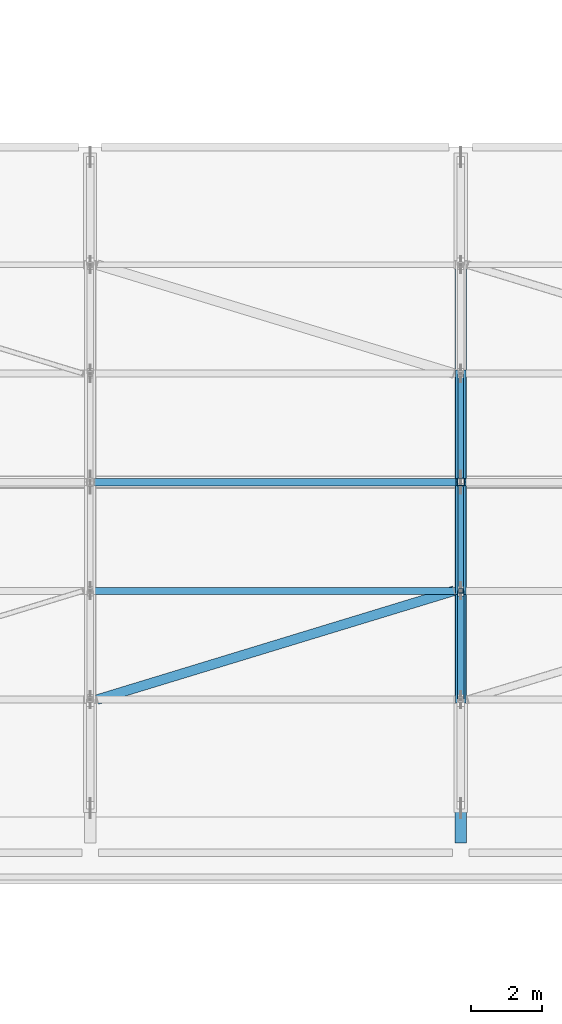
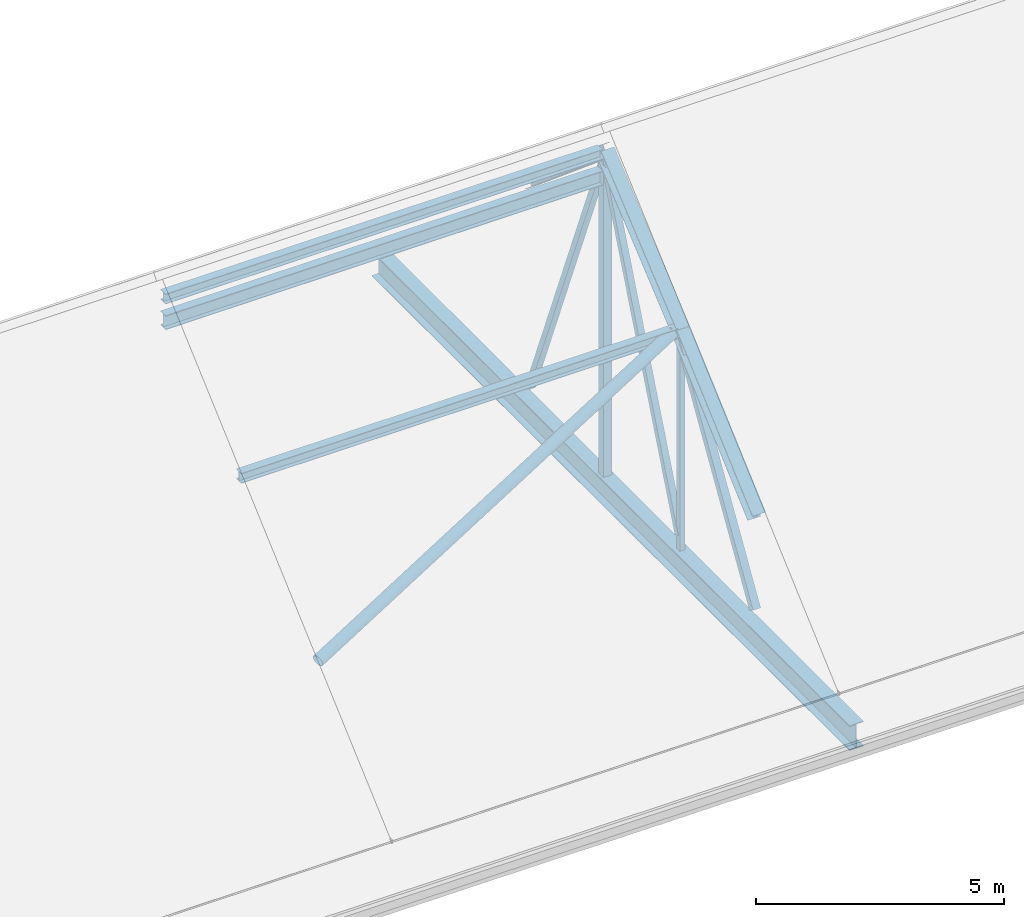
# One storey, part 20 of 86: 10 members, 3 beams.
"""IFC4 building model written with IfcOpenShell, lengths in metres."""

from ifc_helpers import new_model, si_unit, derived_unit, direction, frame, origin, origin_2d, place, context, subcontext, project, spatial, hollow_rectangle, hollow_circle, i_section, extrude, material, material_profile, profile_set, type_object, element, save


model = new_model("IFC4")

# Units and contexts
model_context = context("Model", 3, precision=1e-05, world=origin(), true_north=direction((0.0, 1.0)))
body_context = subcontext(model_context, "Body", "Model", "MODEL_VIEW")
ifc_project = project(units=[si_unit("LENGTHUNIT", "METRE"), si_unit("AREAUNIT", "SQUARE_METRE"), si_unit("VOLUMEUNIT", "CUBIC_METRE"), si_unit("PLANEANGLEUNIT", "RADIAN"), si_unit("MASSUNIT", "GRAM", prefix="KILO"), derived_unit("THERMALTRANSMITTANCEUNIT", [(si_unit("POWERUNIT", "WATT"), 1), (si_unit("LENGTHUNIT", "METRE"), -2), (si_unit("THERMODYNAMICTEMPERATUREUNIT", "KELVIN"), -1)])], contexts=[model_context])

# Site, building, storey
site_placement = place(None, origin())
site = spatial("IfcSite", under=ifc_project, at=site_placement, CompositionType="ELEMENT")
building_placement = place(site_placement, origin())
building = spatial("IfcBuilding", under=site, at=building_placement, Name="Braskholm Square Health Centre", CompositionType="ELEMENT")
storey_placement = place(building_placement, frame((0.0, 0.0, 13.5)))
storey = spatial("IfcBuildingStorey", under=building, at=storey_placement, Name="L04", CompositionType="ELEMENT", Elevation=13.5)

# Member
ifc_material_1 = material(Name="Steel ASTM A500 Grade C", Category="steel")
ifc_material_profile_1 = material_profile(ifc_material_1, hollow_circle(Radius=0.136474609375, WallThickness=0.01171875, at=origin_2d()), Name="HSS10.750X0.500")
ifc_profile_set_1 = profile_set([ifc_material_profile_1], Name="Steel ASTM A500 Grade C")
member_type_1 = type_object("IfcMemberType", Name="RoofPlanBraceCHS273", PredefinedType="BRACE", material=ifc_profile_set_1)
member_1_placement = place(storey_placement, frame((79.0, 91.5, 2.402099609375), z_axis=(0.925704815743, 0.282344488845, 0.251698596995), x_axis=(-0.291736758099, 0.956498648182, 0.0)))
element("IfcMember", 1, at=member_1_placement, inside=storey, type_object=member_type_1, Name="ROOF TRUSS slope brace South Bay 4", PredefinedType="BRACE", context=body_context, shape_type="SweptSolid", body=[
    extrude(hollow_circle(Radius=0.136474609375, WallThickness=0.01171875, at=origin_2d()), origin(), (0.0, 0.0, 1.0), 10.802490234375),
])

# Beams
ifc_material_2 = material(Name="Steel ASTM A992 Grade 50", Category="steel")
ifc_material_profile_2 = material_profile(ifc_material_2, i_section(OverallWidth=0.201904296875, OverallDepth=0.2470703125, WebThickness=0.00732421875, FlangeThickness=0.010986328125, at=origin_2d()), Name="W10X33")
ifc_profile_set_2 = profile_set([ifc_material_profile_2], Name="Steel ASTM A992 Grade 50")
beam_type_1 = type_object("IfcBeamType", Name="RoofPurlinJoistW10X33", PredefinedType="JOIST", material=ifc_profile_set_2)
for number, where, z_axis, x_axis, name in (
    (2, (78.919921875, 94.550048828125, 5.12109375), (1.0, 0.0, 0.0), (0.0, 1.0, 0.0), "ROOF TRUSS purlin joist 017"),
    (3, (78.919921875, 97.60009765625, 7.679931640625), (1.0, 0.0, 0.0), (0.0, 1.0, 0.0), "ROOF TRUSS purlin joist 018"),
):
    element("IfcBeam", number, at=place(storey_placement, frame(where, z_axis=z_axis, x_axis=x_axis)), inside=storey, type_object=beam_type_1, Name=name, PredefinedType="JOIST", context=body_context, shape_type="SweptSolid", body=[
        extrude(i_section(OverallWidth=0.201904296875, OverallDepth=0.2470703125, WebThickness=0.00732421875, FlangeThickness=0.010986328125, at=origin_2d()), origin(), (0.0, 0.0, 1.0), 10.16015625),
    ])
ifc_material_profile_3 = material_profile(ifc_material_2, i_section(OverallWidth=0.323974609375, OverallDepth=0.612060546875, WebThickness=0.0126953125, FlangeThickness=0.01904296875, at=origin_2d()), Name="W24X104")
ifc_profile_set_3 = profile_set([ifc_material_profile_3], Name="Steel ASTM A992 Grade 50")
beam_type_2 = type_object("IfcBeamType", Name="SteelGirderHallTieW24X104", PredefinedType="BEAM", material=ifc_profile_set_3)
beam_placement = place(storey_placement, frame((89.199951171875, 87.47998046875, -0.580078125), z_axis=(0.0, 1.0, 0.0), x_axis=(-1.0, 0.0, 0.0)))
element("IfcBeam", 4, at=beam_placement, inside=storey, type_object=beam_type_2, Name="ROOF TRUSS tie girder TR-05", PredefinedType="BEAM", context=body_context, shape_type="SweptSolid", body=[
    extrude(i_section(OverallWidth=0.323974609375, OverallDepth=0.612060546875, WebThickness=0.0126953125, FlangeThickness=0.01904296875, at=origin_2d()), origin(), (0.0, 0.0, 1.0), 19.239990234375),
])

# Members
ifc_material_profile_4 = material_profile(ifc_material_2, i_section(OverallWidth=0.2041015625, OverallDepth=0.35009765625, WebThickness=0.008544921875, FlangeThickness=0.01513671875, at=origin_2d()), Name="W14X48")
ifc_profile_set_4 = profile_set([ifc_material_profile_4], Name="Steel ASTM A992 Grade 50")
member_type_2 = type_object("IfcMemberType", Name="TrussBottomChordW14X48", PredefinedType="CHORD", material=ifc_profile_set_4)
member_2_placement = place(storey_placement, frame((78.919921875, 97.60009765625, 7.10009765625), z_axis=(1.0, 0.0, 0.0), x_axis=(0.0, 1.0, 0.0)))
element("IfcMember", 5, at=member_2_placement, inside=storey, type_object=member_type_2, Name="ROOF TRUSS ridge tie strut Bay 4", PredefinedType="CHORD", context=body_context, shape_type="SweptSolid", body=[
    extrude(i_section(OverallWidth=0.2041015625, OverallDepth=0.35009765625, WebThickness=0.008544921875, FlangeThickness=0.01513671875, at=origin_2d()), origin(), (0.0, 0.0, 1.0), 10.16015625),
])
ifc_material_profile_5 = material_profile(ifc_material_1, hollow_rectangle(XDim=0.15234375, YDim=0.15234375, WallThickness=0.0087890625, at=origin_2d()), Name="HSS6X6X3/8")
ifc_profile_set_5 = profile_set([ifc_material_profile_5], Name="Steel ASTM A500 Grade C")
member_type_3 = type_object("IfcMemberType", Name="TrussCenterDiagHSS6X6", PredefinedType="BRACE", material=ifc_profile_set_5)
for number, where, z_axis, x_axis, name in (
    (6, (89.199951171875, 94.594970703125, 0.071044921875), (0.0, 0.374971294581, 0.927036422284), (-1.0, 0.0, 0.0), "ROOF TRUSS diagonal web TR-05-D3"),
    (7, (89.199951171875, 100.60498046875, 0.071044921875), (0.0, -0.374971294581, 0.927036422284), (1.0, 0.0, 0.0), "ROOF TRUSS diagonal web TR-05-D4"),
):
    element("IfcMember", number, at=place(storey_placement, frame(where, z_axis=z_axis, x_axis=x_axis)), inside=storey, type_object=member_type_3, Name=name, PredefinedType="BRACE", context=body_context, shape_type="SweptSolid", body=[
        extrude(hollow_rectangle(XDim=0.15234375, YDim=0.15234375, WallThickness=0.0087890625, at=origin_2d()), origin(), (0.0, 0.0, 1.0), 7.893798828125),
    ])
ifc_material_profile_6 = material_profile(ifc_material_2, i_section(OverallWidth=0.304931640625, OverallDepth=0.306884765625, WebThickness=0.010009765625, FlangeThickness=0.015380859375, at=origin_2d()), Name="W12X65")
ifc_profile_set_6 = profile_set([ifc_material_profile_6], Name="Steel ASTM A992 Grade 50")
member_type_4 = type_object("IfcMemberType", Name="TrussHipChordW12X65", PredefinedType="CHORD", material=ifc_profile_set_6)
member_3_placement = place(storey_placement, frame((89.199951171875, 91.5, 2.382080078125), z_axis=(0.0, 0.746426169494, 0.665468236278), x_axis=(-1.0, 0.0, 0.0)))
element("IfcMember", 8, at=member_3_placement, inside=storey, type_object=member_type_4, Name="ROOF TRUSS top chord TR-05-2", PredefinedType="CHORD", context=body_context, shape_type="SweptSolid", body=[
    extrude(i_section(OverallWidth=0.304931640625, OverallDepth=0.306884765625, WebThickness=0.010009765625, FlangeThickness=0.015380859375, at=origin_2d()), origin(), (0.0, 0.0, 1.0), 4.086181640625),
])
member_4_placement = place(storey_placement, frame((89.199951171875, 94.550048828125, 5.101318359375), z_axis=(0.0, 0.766131151452, 0.642684260563), x_axis=(-1.0, 0.0, 0.0)))
element("IfcMember", 9, at=member_4_placement, inside=storey, type_object=member_type_4, Name="ROOF TRUSS top chord TR-05-3", PredefinedType="CHORD", context=body_context, shape_type="SweptSolid", body=[
    extrude(i_section(OverallWidth=0.304931640625, OverallDepth=0.306884765625, WebThickness=0.010009765625, FlangeThickness=0.015380859375, at=origin_2d()), origin(), (0.0, 0.0, 1.0), 3.981201171875),
])
member_5_placement = place(storey_placement, frame((89.199951171875, 97.60009765625, 7.659912109375), z_axis=(0.0, 0.766105819869, -0.642714456631), x_axis=(-1.0, 0.0, 0.0)))
element("IfcMember", 10, at=member_5_placement, inside=storey, type_object=member_type_4, Name="ROOF TRUSS top chord TR-05-4", PredefinedType="CHORD", context=body_context, shape_type="SweptSolid", body=[
    extrude(i_section(OverallWidth=0.304931640625, OverallDepth=0.306884765625, WebThickness=0.010009765625, FlangeThickness=0.015380859375, at=origin_2d()), origin(), (0.0, 0.0, 1.0), 3.98095703125),
])
ifc_material_profile_7 = material_profile(ifc_material_1, hollow_rectangle(XDim=0.177734375, YDim=0.177734375, WallThickness=0.0087890625, at=origin_2d()), Name="HSS7X7X3/8")
ifc_profile_set_7 = profile_set([ifc_material_profile_7], Name="Steel ASTM A500 Grade C")
member_type_5 = type_object("IfcMemberType", Name="TrussInnerDiagHSS7X7", PredefinedType="BRACE", material=ifc_profile_set_7)
member_6_placement = place(storey_placement, frame((89.199951171875, 91.56298828125, 0.06201171875), z_axis=(0.0, 0.522065213128, 0.852905571117), x_axis=(-1.0, 0.0, 0.0)))
element("IfcMember", 11, at=member_6_placement, inside=storey, type_object=member_type_5, Name="ROOF TRUSS diagonal web TR-05-D2", PredefinedType="BRACE", context=body_context, shape_type="SweptSolid", body=[
    extrude(hollow_rectangle(XDim=0.177734375, YDim=0.177734375, WallThickness=0.0087890625, at=origin_2d()), origin(), (0.0, 0.0, 1.0), 5.60107421875),
])
ifc_material_profile_8 = material_profile(ifc_material_1, hollow_rectangle(XDim=0.126953125, YDim=0.126953125, WallThickness=0.00732421875, at=origin_2d()), Name="HSS5X5X5/16")
ifc_profile_set_8 = profile_set([ifc_material_profile_8], Name="Steel ASTM A500 Grade C")
member_type_6 = type_object("IfcMemberType", Name="TrussVerticalStrutHSS5X5", PredefinedType="STRUT", material=ifc_profile_set_8)
member_7_placement = place(storey_placement, frame((89.199951171875, 94.550048828125, -0.27001953125), z_axis=(0.0, 0.0, 1.0), x_axis=(1.0, 0.0, 0.0)))
element("IfcMember", 12, at=member_7_placement, inside=storey, type_object=member_type_6, Name="ROOF TRUSS vertical strut TR-05-V2", PredefinedType="STRUT", context=body_context, shape_type="SweptSolid", body=[
    extrude(hollow_rectangle(XDim=0.126953125, YDim=0.126953125, WallThickness=0.00732421875, at=origin_2d()), origin(), (0.0, 0.0, 1.0), 5.21142578125),
])
ifc_material_profile_9 = material_profile(ifc_material_1, hollow_rectangle(XDim=0.203125, YDim=0.203125, WallThickness=0.0087890625, at=origin_2d()), Name="HSS8X8X3/8")
ifc_profile_set_9 = profile_set([ifc_material_profile_9], Name="Steel ASTM A500 Grade C")
member_type_7 = type_object("IfcMemberType", Name="TrussVerticalStrutHSS8X8", PredefinedType="STRUT", material=ifc_profile_set_9)
member_8_placement = place(storey_placement, frame((89.199951171875, 97.60009765625, -0.27001953125), z_axis=(0.0, 0.0, 1.0), x_axis=(1.0, 0.0, 0.0)))
element("IfcMember", 13, at=member_8_placement, inside=storey, type_object=member_type_7, Name="ROOF TRUSS vertical strut TR-05-V3", PredefinedType="STRUT", context=body_context, shape_type="SweptSolid", body=[
    extrude(hollow_rectangle(XDim=0.203125, YDim=0.203125, WallThickness=0.0087890625, at=origin_2d()), origin(), (0.0, 0.0, 1.0), 7.77001953125),
])

save(model, "model.ifc")
